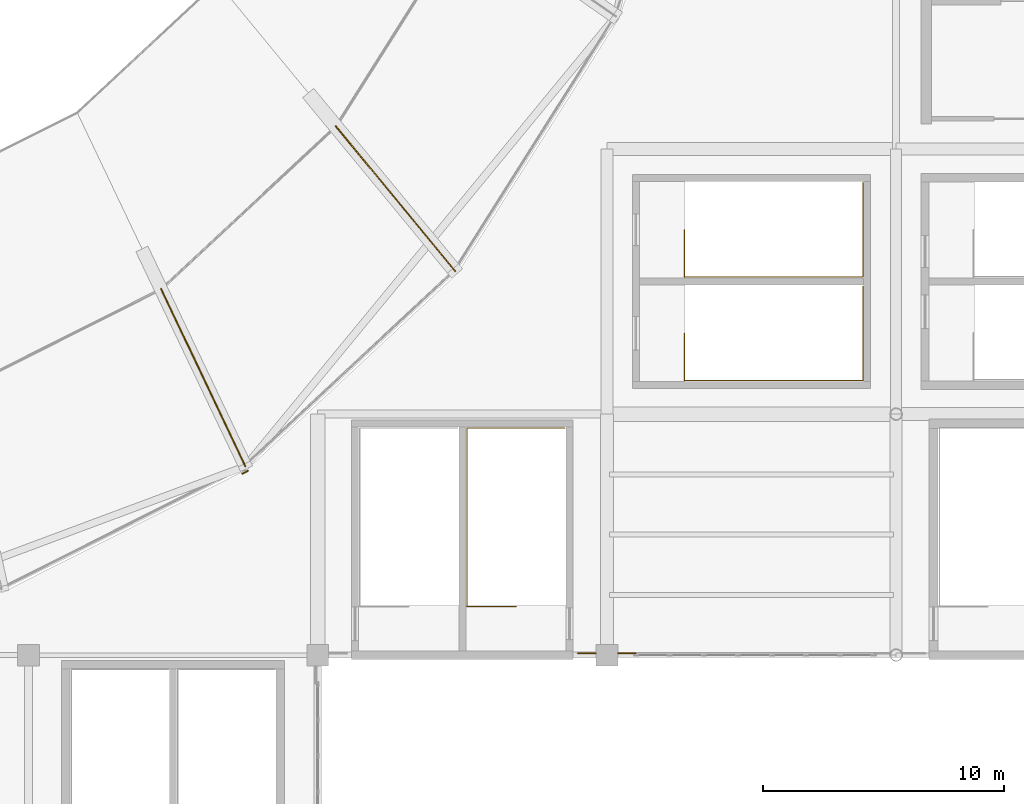
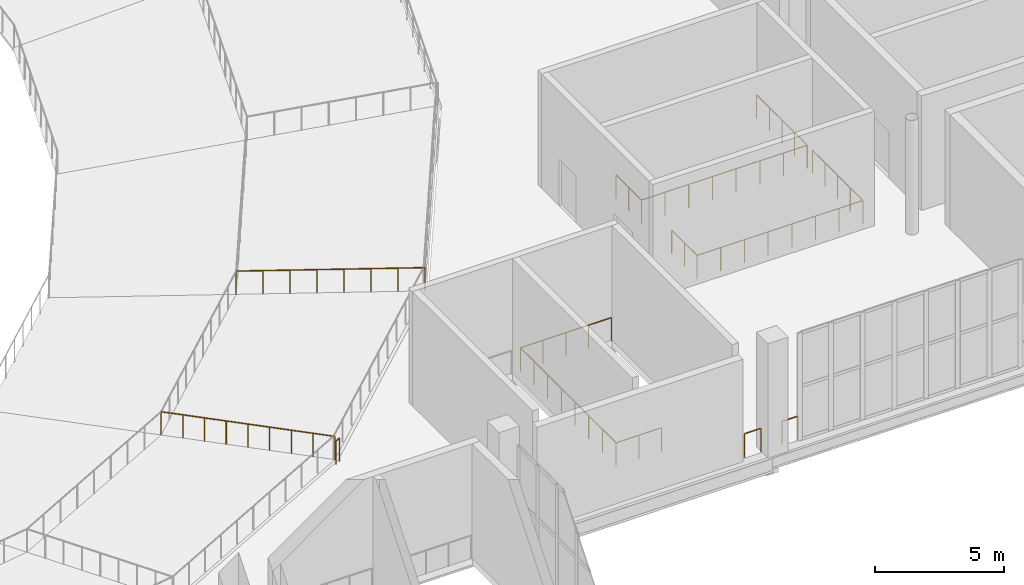
# One storey, part 66 of 74: 8 railings.
"""IFC4 building model written with IfcOpenShell, lengths in metres."""

from ifc_helpers import new_model, si_unit, direction, frame, origin, origin_2d, place, context, subcontext, project, spatial, circle, extrude, material, type_object, element, save


model = new_model("IFC4")

# Units and contexts
model_context = context("Model", 3, precision=1e-05, world=origin(), true_north=direction((0.0, 1.0)))
body_context = subcontext(model_context, "Body", "Model", "MODEL_VIEW")
ifc_project = project(units=[si_unit("LENGTHUNIT", "METRE"), si_unit("AREAUNIT", "SQUARE_METRE"), si_unit("VOLUMEUNIT", "CUBIC_METRE"), si_unit("PLANEANGLEUNIT", "RADIAN"), si_unit("MASSUNIT", "GRAM", prefix="KILO")], contexts=[model_context])

# Site, building, storey
site_placement = place(None, origin())
site = spatial("IfcSite", under=ifc_project, at=site_placement, CompositionType="ELEMENT")
building_placement = place(site_placement, origin())
building = spatial("IfcBuilding", under=site, at=building_placement, Name="Brinegate Civic Arena", CompositionType="ELEMENT")
storey_placement = place(building_placement, frame((0.0, 0.0, 19.199951171875)))
storey = spatial("IfcBuildingStorey", under=building, at=storey_placement, Name="L04", CompositionType="ELEMENT", Elevation=19.199951171875)

# Railings
ifc_material = material(Name="Architectural stainless steel balustrade", Category="steel")
railing_type_1 = type_object("IfcRailingType", Name="RAIL-BOWL-BARRIER-1100", PredefinedType="GUARDRAIL", material=ifc_material)
railing_1_placement = place(storey_placement, frame((125.5, 25.194091796875, -2.074951171875)))
element("IfcRailing", 1, at=railing_1_placement, inside=storey, type_object=railing_type_1, Name="Upper Bowl Radial Aisle Guard RAD-21", PredefinedType="GUARDRAIL", context=body_context, shape_type="SweptSolid", body=[
    extrude(circle(Radius=0.02392578125, at=origin_2d()), frame((0.000732421875, -0.001220703125, 1.096435546875), z_axis=(0.416133336918, -0.8751978405, 0.246701815741), x_axis=(0.903111725779, 0.429405648263, 0.0)), (0.0, 0.0, 1.0), 8.40771484375),
    extrude(circle(Radius=0.02099609375, at=origin_2d()), origin(), (0.0, 0.0, 1.0), 1.070068359375),
    extrude(circle(Radius=0.02099609375, at=origin_2d()), frame((0.4375, -0.920166015625, 0.25927734375)), (0.0, 0.0, 1.0), 1.070068359375),
    extrude(circle(Radius=0.02099609375, at=origin_2d()), frame((0.875, -1.84033203125, 0.518798828125)), (0.0, 0.0, 1.0), 1.070068359375),
    extrude(circle(Radius=0.02099609375, at=origin_2d()), frame((1.3125, -2.760498046875, 0.778076171875)), (0.0, 0.0, 1.0), 1.070068359375),
    extrude(circle(Radius=0.02099609375, at=origin_2d()), frame((1.75, -3.6806640625, 1.03759765625)), (0.0, 0.0, 1.0), 1.070068359375),
    extrude(circle(Radius=0.02099609375, at=origin_2d()), frame((2.1875, -4.6005859375, 1.296875)), (0.0, 0.0, 1.0), 1.070068359375),
    extrude(circle(Radius=0.02099609375, at=origin_2d()), frame((2.625, -5.520751953125, 1.55615234375)), (0.0, 0.0, 1.0), 1.070068359375),
    extrude(circle(Radius=0.02099609375, at=origin_2d()), frame((3.0625, -6.44091796875, 1.815673828125)), (0.0, 0.0, 1.0), 1.070068359375),
    extrude(circle(Radius=0.02099609375, at=origin_2d()), frame((3.5, -7.361083984375, 2.074951171875)), (0.0, 0.0, 1.0), 1.070068359375),
])
railing_2_placement = place(storey_placement, frame((132.7490234375, 31.947998046875, -2.074951171875)))
element("IfcRailing", 2, at=railing_2_placement, inside=storey, type_object=railing_type_1, Name="Upper Bowl Radial Aisle Guard RAD-22", PredefinedType="GUARDRAIL", context=body_context, shape_type="SweptSolid", body=[
    extrude(circle(Radius=0.02392578125, at=origin_2d()), frame((0.0009765625, -0.001220703125, 1.096435546875), z_axis=(0.614232363267, -0.745920679125, 0.257528531173), x_axis=(0.771958296095, 0.635673177891, 0.0)), (0.0, 0.0, 1.0), 8.05419921875),
    extrude(circle(Radius=0.02099609375, at=origin_2d()), origin(), (0.0, 0.0, 1.0), 1.070068359375),
    extrude(circle(Radius=0.02099609375, at=origin_2d()), frame((0.70703125, -0.858642578125, 0.29638671875)), (0.0, 0.0, 1.0), 1.070068359375),
    extrude(circle(Radius=0.02099609375, at=origin_2d()), frame((1.4140625, -1.717041015625, 0.5927734375)), (0.0, 0.0, 1.0), 1.070068359375),
    extrude(circle(Radius=0.02099609375, at=origin_2d()), frame((2.12109375, -2.57568359375, 0.88916015625)), (0.0, 0.0, 1.0), 1.070068359375),
    extrude(circle(Radius=0.02099609375, at=origin_2d()), frame((2.827880859375, -3.434326171875, 1.185791015625)), (0.0, 0.0, 1.0), 1.070068359375),
    extrude(circle(Radius=0.02099609375, at=origin_2d()), frame((3.534912109375, -4.29296875, 1.482177734375)), (0.0, 0.0, 1.0), 1.070068359375),
    extrude(circle(Radius=0.02099609375, at=origin_2d()), frame((4.241943359375, -5.1513671875, 1.778564453125)), (0.0, 0.0, 1.0), 1.070068359375),
    extrude(circle(Radius=0.02099609375, at=origin_2d()), frame((4.948974609375, -6.010009765625, 2.074951171875)), (0.0, 0.0, 1.0), 1.070068359375),
])
railing_type_2 = type_object("IfcRailingType", Name="RAIL-STAIR-GUARD-1100", PredefinedType="GUARDRAIL", material=ifc_material)
railing_3_placement = place(storey_placement, frame((140.22509765625, 12.02001953125, 0.0)))
element("IfcRailing", 3, at=railing_3_placement, inside=storey, type_object=railing_type_2, Name="Top Stairwell Edge Guard ST-14B L04", PredefinedType="GUARDRAIL", context=body_context, shape_type="SweptSolid", body=[
    extrude(circle(Radius=0.02392578125, at=origin_2d()), frame((-0.00146484375, 0.0, 1.09619140625), z_axis=(-1.0, 0.0, 0.0), x_axis=(0.0, -1.0, 0.0)), (0.0, 0.0, 1.0), 2.027099609375),
    extrude(circle(Radius=0.02392578125, at=origin_2d()), frame((-2.030029296875, 0.00146484375, 1.09619140625), z_axis=(0.0, 1.0, 0.0), x_axis=(-1.0, 0.0, 0.0)), (0.0, 0.0, 1.0), 7.39697265625),
    extrude(circle(Radius=0.02392578125, at=origin_2d()), frame((-2.028564453125, 7.39990234375, 1.09619140625), z_axis=(1.0, 0.0, 0.0), x_axis=(0.0, 1.0, 0.0)), (0.0, 0.0, 1.0), 4.056884765625),
    extrude(circle(Radius=0.02099609375, at=origin_2d()), origin(), (0.0, 0.0, 1.0), 1.070068359375),
    extrude(circle(Radius=0.02099609375, at=origin_2d()), frame((-1.01513671875, 0.0, 0.0)), (0.0, 0.0, 1.0), 1.070068359375),
    extrude(circle(Radius=0.02099609375, at=origin_2d()), frame((-2.030029296875, 0.0, 0.0)), (0.0, 0.0, 1.0), 1.070068359375),
    extrude(circle(Radius=0.02099609375, at=origin_2d()), frame((-2.030029296875, 1.05712890625, 0.0)), (0.0, 0.0, 1.0), 1.070068359375),
    extrude(circle(Radius=0.02099609375, at=origin_2d()), frame((-2.030029296875, 2.1142578125, 0.0)), (0.0, 0.0, 1.0), 1.070068359375),
    extrude(circle(Radius=0.02099609375, at=origin_2d()), frame((-2.030029296875, 3.17138671875, 0.0)), (0.0, 0.0, 1.0), 1.070068359375),
    extrude(circle(Radius=0.02099609375, at=origin_2d()), frame((-2.030029296875, 4.228515625, 0.0)), (0.0, 0.0, 1.0), 1.070068359375),
    extrude(circle(Radius=0.02099609375, at=origin_2d()), frame((-2.030029296875, 5.28564453125, 0.0)), (0.0, 0.0, 1.0), 1.070068359375),
    extrude(circle(Radius=0.02099609375, at=origin_2d()), frame((-2.030029296875, 6.3427734375, 0.0)), (0.0, 0.0, 1.0), 1.070068359375),
    extrude(circle(Radius=0.02099609375, at=origin_2d()), frame((-2.030029296875, 7.39990234375, 0.0)), (0.0, 0.0, 1.0), 1.070068359375),
    extrude(circle(Radius=0.02099609375, at=origin_2d()), frame((-1.01513671875, 7.39990234375, 0.0)), (0.0, 0.0, 1.0), 1.070068359375),
    extrude(circle(Radius=0.02099609375, at=origin_2d()), frame((0.0, 7.39990234375, 0.0)), (0.0, 0.0, 1.0), 1.070068359375),
    extrude(circle(Radius=0.02099609375, at=origin_2d()), frame((1.014892578125, 7.39990234375, 0.0)), (0.0, 0.0, 1.0), 1.070068359375),
    extrude(circle(Radius=0.02099609375, at=origin_2d()), frame((2.02978515625, 7.39990234375, 0.0)), (0.0, 0.0, 1.0), 1.070068359375),
])
railing_4_placement = place(storey_placement, frame((147.219970703125, 23.35009765625, 0.0)))
element("IfcRailing", 4, at=railing_4_placement, inside=storey, type_object=railing_type_2, Name="Top Stairwell Edge Guard ST-17A L04", PredefinedType="GUARDRAIL", context=body_context, shape_type="SweptSolid", body=[
    extrude(circle(Radius=0.02392578125, at=origin_2d()), frame((0.0, -0.00146484375, 1.09619140625), z_axis=(0.0, -1.0, 0.0), x_axis=(1.0, 0.0, 0.0)), (0.0, 0.0, 1.0), 1.9521484375),
    extrude(circle(Radius=0.02392578125, at=origin_2d()), frame((0.00146484375, -1.955078125, 1.09619140625), z_axis=(1.0, 0.0, 0.0), x_axis=(0.0, 1.0, 0.0)), (0.0, 0.0, 1.0), 7.397216796875),
    extrude(circle(Radius=0.02392578125, at=origin_2d()), frame((7.400146484375, -1.95361328125, 1.09619140625), z_axis=(0.0, 1.0, 0.0), x_axis=(-1.0, 0.0, 0.0)), (0.0, 0.0, 1.0), 3.906982421875),
    extrude(circle(Radius=0.02099609375, at=origin_2d()), origin(), (0.0, 0.0, 1.0), 1.070068359375),
    extrude(circle(Radius=0.02099609375, at=origin_2d()), frame((0.0, -0.9775390625, 0.0)), (0.0, 0.0, 1.0), 1.070068359375),
    extrude(circle(Radius=0.02099609375, at=origin_2d()), frame((0.0, -1.955078125, 0.0)), (0.0, 0.0, 1.0), 1.070068359375),
    extrude(circle(Radius=0.02099609375, at=origin_2d()), frame((1.05712890625, -1.955078125, 0.0)), (0.0, 0.0, 1.0), 1.070068359375),
    extrude(circle(Radius=0.02099609375, at=origin_2d()), frame((2.1142578125, -1.955078125, 0.0)), (0.0, 0.0, 1.0), 1.070068359375),
    extrude(circle(Radius=0.02099609375, at=origin_2d()), frame((3.17138671875, -1.955078125, 0.0)), (0.0, 0.0, 1.0), 1.070068359375),
    extrude(circle(Radius=0.02099609375, at=origin_2d()), frame((4.228759765625, -1.955078125, 0.0)), (0.0, 0.0, 1.0), 1.070068359375),
    extrude(circle(Radius=0.02099609375, at=origin_2d()), frame((5.285888671875, -1.955078125, 0.0)), (0.0, 0.0, 1.0), 1.070068359375),
    extrude(circle(Radius=0.02099609375, at=origin_2d()), frame((6.343017578125, -1.955078125, 0.0)), (0.0, 0.0, 1.0), 1.070068359375),
    extrude(circle(Radius=0.02099609375, at=origin_2d()), frame((7.400146484375, -1.955078125, 0.0)), (0.0, 0.0, 1.0), 1.070068359375),
    extrude(circle(Radius=0.02099609375, at=origin_2d()), frame((7.400146484375, -0.9775390625, 0.0)), (0.0, 0.0, 1.0), 1.070068359375),
    extrude(circle(Radius=0.02099609375, at=origin_2d()), frame((7.400146484375, 0.0, 0.0)), (0.0, 0.0, 1.0), 1.070068359375),
    extrude(circle(Radius=0.02099609375, at=origin_2d()), frame((7.400146484375, 0.977294921875, 0.0)), (0.0, 0.0, 1.0), 1.070068359375),
    extrude(circle(Radius=0.02099609375, at=origin_2d()), frame((7.400146484375, 1.954833984375, 0.0)), (0.0, 0.0, 1.0), 1.070068359375),
])
railing_5_placement = place(storey_placement, frame((147.219970703125, 27.64990234375, 0.0)))
element("IfcRailing", 5, at=railing_5_placement, inside=storey, type_object=railing_type_2, Name="Top Stairwell Edge Guard ST-17B L04", PredefinedType="GUARDRAIL", context=body_context, shape_type="SweptSolid", body=[
    extrude(circle(Radius=0.02392578125, at=origin_2d()), frame((0.0, -0.00146484375, 1.09619140625), z_axis=(0.0, -1.0, 0.0), x_axis=(1.0, 0.0, 0.0)), (0.0, 0.0, 1.0), 1.951904296875),
    extrude(circle(Radius=0.02392578125, at=origin_2d()), frame((0.00146484375, -1.954833984375, 1.09619140625), z_axis=(1.0, 0.0, 0.0), x_axis=(0.0, 1.0, 0.0)), (0.0, 0.0, 1.0), 7.397216796875),
    extrude(circle(Radius=0.02392578125, at=origin_2d()), frame((7.400146484375, -1.953369140625, 1.09619140625), z_axis=(0.0, 1.0, 0.0), x_axis=(-1.0, 0.0, 0.0)), (0.0, 0.0, 1.0), 3.906982421875),
    extrude(circle(Radius=0.02099609375, at=origin_2d()), origin(), (0.0, 0.0, 1.0), 1.070068359375),
    extrude(circle(Radius=0.02099609375, at=origin_2d()), frame((0.0, -0.9775390625, 0.0)), (0.0, 0.0, 1.0), 1.070068359375),
    extrude(circle(Radius=0.02099609375, at=origin_2d()), frame((0.0, -1.954833984375, 0.0)), (0.0, 0.0, 1.0), 1.070068359375),
    extrude(circle(Radius=0.02099609375, at=origin_2d()), frame((1.05712890625, -1.954833984375, 0.0)), (0.0, 0.0, 1.0), 1.070068359375),
    extrude(circle(Radius=0.02099609375, at=origin_2d()), frame((2.1142578125, -1.954833984375, 0.0)), (0.0, 0.0, 1.0), 1.070068359375),
    extrude(circle(Radius=0.02099609375, at=origin_2d()), frame((3.17138671875, -1.954833984375, 0.0)), (0.0, 0.0, 1.0), 1.070068359375),
    extrude(circle(Radius=0.02099609375, at=origin_2d()), frame((4.228759765625, -1.954833984375, 0.0)), (0.0, 0.0, 1.0), 1.070068359375),
    extrude(circle(Radius=0.02099609375, at=origin_2d()), frame((5.285888671875, -1.954833984375, 0.0)), (0.0, 0.0, 1.0), 1.070068359375),
    extrude(circle(Radius=0.02099609375, at=origin_2d()), frame((6.343017578125, -1.954833984375, 0.0)), (0.0, 0.0, 1.0), 1.070068359375),
    extrude(circle(Radius=0.02099609375, at=origin_2d()), frame((7.400146484375, -1.954833984375, 0.0)), (0.0, 0.0, 1.0), 1.070068359375),
    extrude(circle(Radius=0.02099609375, at=origin_2d()), frame((7.400146484375, -0.977294921875, 0.0)), (0.0, 0.0, 1.0), 1.070068359375),
    extrude(circle(Radius=0.02099609375, at=origin_2d()), frame((7.400146484375, 0.0, 0.0)), (0.0, 0.0, 1.0), 1.070068359375),
    extrude(circle(Radius=0.02099609375, at=origin_2d()), frame((7.400146484375, 0.9775390625, 0.0)), (0.0, 0.0, 1.0), 1.070068359375),
    extrude(circle(Radius=0.02099609375, at=origin_2d()), frame((7.400146484375, 1.955078125, 0.0)), (0.0, 0.0, 1.0), 1.070068359375),
])
railing_type_3 = type_object("IfcRailingType", Name="RAIL-VOID-BALUSTRADE-1120", PredefinedType="BALUSTRADE", material=ifc_material)
railing_6_placement = place(storey_placement, frame((145.18603515625, 10.070068359375, 0.0)))
element("IfcRailing", 6, at=railing_6_placement, inside=storey, type_object=railing_type_3, Name="Deck Edge Balustrade L04-362", PredefinedType="BALUSTRADE", context=body_context, shape_type="SweptSolid", body=[
    extrude(circle(Radius=0.02392578125, at=origin_2d()), frame((-0.00146484375, 0.0, 1.09619140625), z_axis=(-1.0, 0.0, 0.0), x_axis=(0.0, -1.0, 0.0)), (0.0, 0.0, 1.0), 0.713134765625),
    extrude(circle(Radius=0.02099609375, at=origin_2d()), origin(), (0.0, 0.0, 1.0), 1.070068359375),
    extrude(circle(Radius=0.02099609375, at=origin_2d()), frame((-0.716064453125, 0.0, 0.0)), (0.0, 0.0, 1.0), 1.070068359375),
])
railing_7_placement = place(storey_placement, frame((143.530029296875, 10.070068359375, 0.0)))
element("IfcRailing", 7, at=railing_7_placement, inside=storey, type_object=railing_type_3, Name="Deck Edge Balustrade L04-363", PredefinedType="BALUSTRADE", context=body_context, shape_type="SweptSolid", body=[
    extrude(circle(Radius=0.02392578125, at=origin_2d()), frame((-0.00146484375, 0.0, 1.09619140625), z_axis=(-1.0, 0.0, 0.0), x_axis=(0.0, -1.0, 0.0)), (0.0, 0.0, 1.0), 0.72705078125),
    extrude(circle(Radius=0.02099609375, at=origin_2d()), origin(), (0.0, 0.0, 1.0), 1.070068359375),
    extrude(circle(Radius=0.02099609375, at=origin_2d()), frame((-0.72998046875, 0.0, 0.0)), (0.0, 0.0, 1.0), 1.070068359375),
])
railing_8_placement = place(storey_placement, frame((128.8740234375, 17.533935546875, 0.0)))
element("IfcRailing", 8, at=railing_8_placement, inside=storey, type_object=railing_type_3, Name="Deck Edge Balustrade L04-389", PredefinedType="BALUSTRADE", context=body_context, shape_type="SweptSolid", body=[
    extrude(circle(Radius=0.02392578125, at=origin_2d()), frame((0.001220703125, 0.000732421875, 1.09619140625), z_axis=(0.893657132261, 0.448750409426, 0.0), x_axis=(-0.448750409426, 0.893657132261, 0.0)), (0.0, 0.0, 1.0), 0.2509765625),
    extrude(circle(Radius=0.02099609375, at=origin_2d()), origin(), (0.0, 0.0, 1.0), 1.070068359375),
    extrude(circle(Radius=0.02099609375, at=origin_2d()), frame((0.22705078125, 0.114013671875, 0.0)), (0.0, 0.0, 1.0), 1.070068359375),
])

save(model, "model.ifc")
